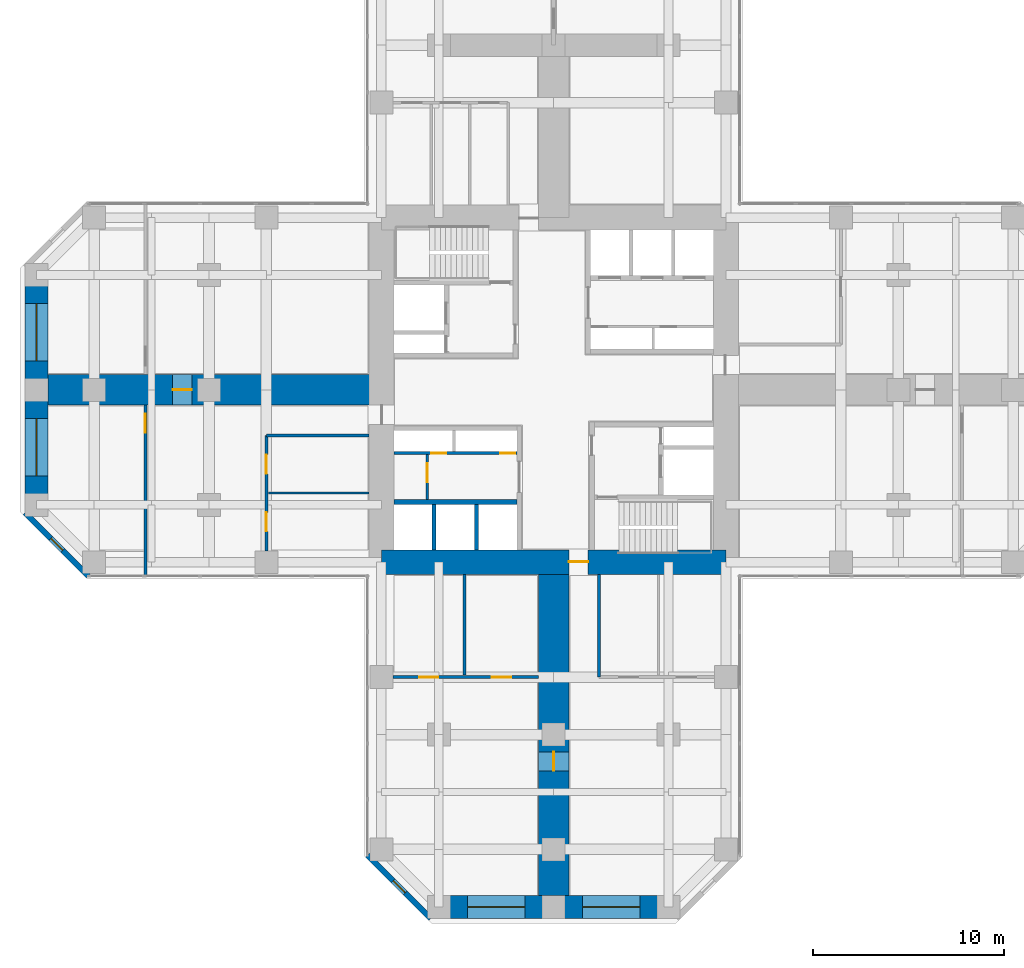
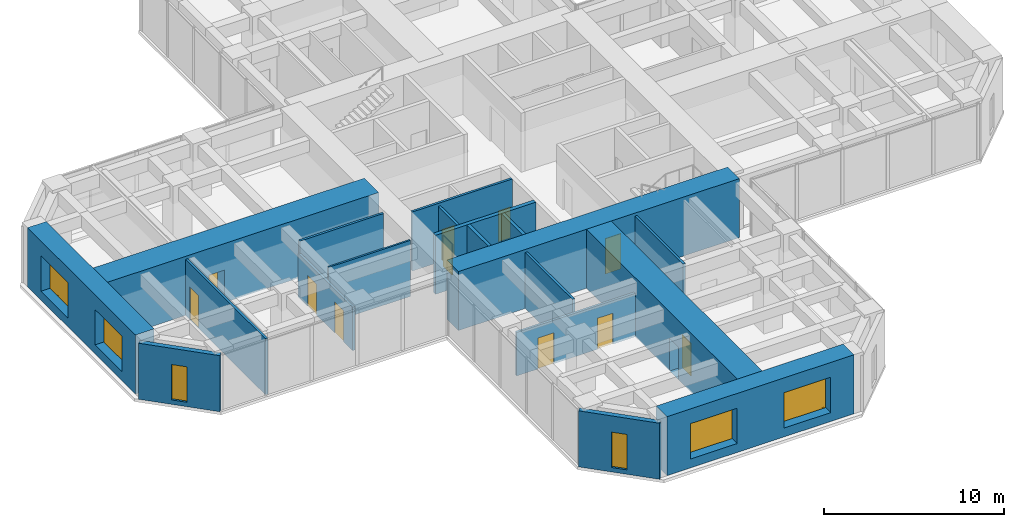
# One storey, part 8 of 12: 19 walls, 11 doors, 6 windows, 17 openings.
"""IFC4 building model written with IfcOpenShell, lengths in metres."""

from ifc_helpers import new_model, si_unit, direction, frame, frame_2d, origin, place, context, subcontext, project, spatial, rectangle, hollow_rectangle, extrude, material, layer, layer_set, constituent, constituent_set, type_object, element, fill, save


model = new_model("IFC4")

# Units and contexts
model_context = context("Model", 3, precision=1e-05, world=origin(), true_north=direction((0.0, 1.0)))
body_context = subcontext(model_context, "Body", "Model", "MODEL_VIEW")
ifc_project = project(units=[si_unit("LENGTHUNIT", "METRE"), si_unit("AREAUNIT", "SQUARE_METRE"), si_unit("VOLUMEUNIT", "CUBIC_METRE"), si_unit("PLANEANGLEUNIT", "RADIAN"), si_unit("MASSUNIT", "GRAM", prefix="KILO")], contexts=[model_context])

# Site, building, storey
site_placement = place(None, origin())
site = spatial("IfcSite", under=ifc_project, at=site_placement, CompositionType="ELEMENT")
building_placement = place(site_placement, origin())
building = spatial("IfcBuilding", under=site, at=building_placement, Name="Torre Cruceta", CompositionType="ELEMENT")
storey_placement = place(building_placement, frame((0.0, 0.0, 39.5)))
storey = spatial("IfcBuildingStorey", under=building, at=storey_placement, Name="L09", CompositionType="ELEMENT", Elevation=39.5)

# Wall
ifc_material_1 = material(Name="Concrete G60 (fck 60 MPa)", Category="concrete")
ifc_layer_1 = layer(ifc_material_1, 0.25)
ifc_layer_set_1 = layer_set([ifc_layer_1], Name="Concrete G60 (fck 60 MPa)")
wall_type_1 = type_object("IfcWallType", Name="CORE INNER WALL 250 G60", PredefinedType="SHEAR", material=ifc_layer_set_1)
wall_1_placement = place(storey_placement, frame((-1.925048828125, -5.85009765625, 0.0), z_axis=(0.0, 0.0, 1.0), x_axis=(-1.0, 0.0, 0.0)))
element("IfcWall", 1, at=wall_1_placement, inside=storey, type_object=wall_type_1, Name="CW4 L09 SW-LV", PredefinedType="SHEAR", context=body_context, shape_type="SweptSolid", body=[
    extrude(rectangle(XDim=6.425048828125, YDim=0.25, at=frame_2d((3.21240234375, 0.0))), origin(), (0.0, 0.0, 1.0), 4.0),
])

# Wall, opening, door
ifc_material_2 = material(Name="Concrete G60 (fck 60 MPa)", Category="concrete")
ifc_layer_2 = layer(ifc_material_2, 1.300048828125)
ifc_layer_set_2 = layer_set([ifc_layer_2], Name="Concrete G60 (fck 60 MPa)")
wall_type_2 = type_object("IfcWallType", Name="CORE WALL 1300 G60", PredefinedType="SHEAR", material=ifc_layer_set_2)
wall_2_placement = place(storey_placement, frame((-9.0, -9.0, 0.0), z_axis=(0.0, 0.0, 1.0), x_axis=(1.0, 0.0, 0.0)))
wall_2 = element("IfcWall", 2, at=wall_2_placement, inside=storey, type_object=wall_type_2, Name="CW1 L09 CW-S", PredefinedType="SHEAR", context=body_context, shape_type="SweptSolid", body=[
    extrude(rectangle(XDim=18.0, YDim=1.300048828125, at=frame_2d((9.0, 0.0))), origin(), (0.0, 0.0, 1.0), 4.0),
])
opening_1_placement = place(wall_2_placement, frame((9.800048828125, 0.0, 0.0)))
opening_1 = element("IfcOpeningElement", 3, at=opening_1_placement, cuts=wall_2, Name="Opening D4", PredefinedType="OPENING", context=body_context, shape_type="SweptSolid", body=[
    extrude(rectangle(XDim=1.0, YDim=2.39990234375, at=frame_2d((0.5, 1.199951171875))), frame((0.0, 0.659912109375, 0.0), z_axis=(0.0, -1.0, 0.0), x_axis=(1.0, 0.0, 0.0)), (0.0, 0.0, 1.0), 1.320068359375),
])
ifc_material_3 = material(Name="Steel DX51D", Category="steel")
ifc_constituent_1 = constituent(ifc_material_3, Name="Leaf and frame")
ifc_material_4 = material(Name="Polyester powder coating", Category="paint")
ifc_constituent_2 = constituent(ifc_material_4, Name="Finish")
ifc_constituent_set_1 = constituent_set(constituents=[ifc_constituent_1, ifc_constituent_2], Name="Steel fire door")
door_type_1 = type_object("IfcDoorType", Name="CORE ARM DOOR 1000X2400", OperationType="SINGLE_SWING_RIGHT", PredefinedType="DOOR", material=ifc_constituent_set_1)
door_1_placement = place(opening_1_placement, frame((1.0, 0.0, 0.0), z_axis=(0.0, 0.0, 1.0), x_axis=(-1.0, 0.0, 0.0)))
door_1 = element("IfcDoor", 4, at=door_1_placement, inside=storey, type_object=door_type_1, Name="D4 L09 CW-S", OperationType="SINGLE_SWING_RIGHT", OverallHeight=2.39990234375, OverallWidth=1.0, PredefinedType="DOOR", context=body_context, shape_type="SweptSolid", body=[
    extrude(rectangle(XDim=1.0, YDim=2.39990234375, at=frame_2d((0.5, 1.199951171875))), frame((0.0, -0.005126953125, 0.0), z_axis=(0.0, -1.0, 0.0), x_axis=(1.0, 0.0, 0.0)), (0.0, 0.0, 1.0), 0.050048828125),
])
fill(opening_1, door_1)

# Wall, opening, window
ifc_material_5 = material(Name="Concrete G30 (fck 30 MPa)", Category="concrete")
ifc_layer_3 = layer(ifc_material_5, 0.300048828125)
ifc_layer_set_3 = layer_set([ifc_layer_3], Name="Concrete G30 (fck 30 MPa)")
wall_type_3 = type_object("IfcWallType", Name="EXPOSED CONCRETE FACADE WALL 300", PredefinedType="SOLIDWALL", material=ifc_layer_set_3)
wall_3_placement = place(storey_placement, frame((-27.60009765625, -6.418212890625, 0.0), z_axis=(0.0, 0.0, 1.0), x_axis=(0.707106781187, -0.707106781187, 0.0)))
wall_3 = element("IfcWall", 5, at=wall_3_placement, inside=storey, type_object=wall_type_3, Name="EW1 facade wall L09 W chamfer 13", PredefinedType="SOLIDWALL", context=body_context, shape_type="SweptSolid", body=[
    extrude(rectangle(XDim=4.66943359375, YDim=0.300048828125, at=frame_2d((2.334716796875, 0.0))), origin(), (0.0, 0.0, 1.0), 3.800048828125),
])
opening_2_placement = place(wall_3_placement, frame((1.884765625, 0.0, 0.300048828125)))
opening_2 = element("IfcOpeningElement", 6, at=opening_2_placement, cuts=wall_3, Name="Opening WN5", PredefinedType="OPENING", context=body_context, shape_type="SweptSolid", body=[
    extrude(rectangle(XDim=0.89990234375, YDim=2.39990234375, at=frame_2d((0.449951171875, 1.199951171875))), frame((0.0, 0.159912109375, 0.0), z_axis=(0.0, -1.0, 0.0), x_axis=(1.0, 0.0, 0.0)), (0.0, 0.0, 1.0), 0.320068359375),
])
ifc_material_6 = material(Name="Aluminium window frame", Category="aluminium")
ifc_constituent_3 = constituent(ifc_material_6, Name="Frame")
ifc_material_7 = material(Name="Laminated insulating glass unit, low-iron clear", Category="glass")
ifc_constituent_4 = constituent(ifc_material_7, Name="Glazing")
ifc_constituent_set_2 = constituent_set(constituents=[ifc_constituent_3, ifc_constituent_4], Name="Aluminium window")
window_type_1 = type_object("IfcWindowType", Name="CHAMFER SLOT WINDOW 900X2400", PartitioningType="SINGLE_PANEL", PredefinedType="WINDOW", material=ifc_constituent_set_2)
window_1_placement = place(opening_2_placement, origin())
window_1 = element("IfcWindow", 7, at=window_1_placement, inside=storey, type_object=window_type_1, Name="WN5 L09 W 1", OverallHeight=2.39990234375, OverallWidth=0.89990234375, PartitioningType="SINGLE_PANEL", PredefinedType="WINDOW", context=body_context, shape_type="SweptSolid", body=[
    extrude(hollow_rectangle(XDim=0.89990234375, YDim=2.39990234375, WallThickness=0.06005859375, at=frame_2d((0.449951171875, 1.199951171875))), frame((0.0, 0.030029296875, 0.0), z_axis=(0.0, -1.0, 0.0), x_axis=(1.0, 0.0, 0.0)), (0.0, 0.0, 1.0), 0.06005859375),
    extrude(rectangle(XDim=0.77880859375, YDim=2.27880859375, at=frame_2d((0.449951171875, 1.199951171875))), frame((0.0, 0.030029296875, 0.0), z_axis=(0.0, -1.0, 0.0), x_axis=(1.0, 0.0, 0.0)), (0.0, 0.0, 1.0), 0.06005859375),
])
fill(opening_2, window_1)

wall_4_placement = place(storey_placement, frame((-9.719970703125, -24.29833984375, 0.0), z_axis=(0.0, 0.0, 1.0), x_axis=(0.707106781187, -0.707106781187, 0.0)))
wall_4 = element("IfcWall", 8, at=wall_4_placement, inside=storey, type_object=wall_type_3, Name="EW1 facade wall L09 S chamfer 16", PredefinedType="SOLIDWALL", context=body_context, shape_type="SweptSolid", body=[
    extrude(rectangle(XDim=4.66943359375, YDim=0.300048828125, at=frame_2d((2.334716796875, 0.0))), origin(), (0.0, 0.0, 1.0), 3.800048828125),
])
opening_3_placement = place(wall_4_placement, frame((1.884765625, 0.0, 0.300048828125)))
opening_3 = element("IfcOpeningElement", 9, at=opening_3_placement, cuts=wall_4, Name="Opening WN5", PredefinedType="OPENING", context=body_context, shape_type="SweptSolid", body=[
    extrude(rectangle(XDim=0.89990234375, YDim=2.39990234375, at=frame_2d((0.449951171875, 1.199951171875))), frame((0.0, 0.159912109375, 0.0), z_axis=(0.0, -1.0, 0.0), x_axis=(1.0, 0.0, 0.0)), (0.0, 0.0, 1.0), 0.320068359375),
])
window_2_placement = place(opening_3_placement, origin())
window_2 = element("IfcWindow", 10, at=window_2_placement, inside=storey, type_object=window_type_1, Name="WN5 L09 S 1", OverallHeight=2.39990234375, OverallWidth=0.89990234375, PartitioningType="SINGLE_PANEL", PredefinedType="WINDOW", context=body_context, shape_type="SweptSolid", body=[
    extrude(hollow_rectangle(XDim=0.89990234375, YDim=2.39990234375, WallThickness=0.06005859375, at=frame_2d((0.449951171875, 1.199951171875))), frame((0.0, 0.030029296875, 0.0), z_axis=(0.0, -1.0, 0.0), x_axis=(1.0, 0.0, 0.0)), (0.0, 0.0, 1.0), 0.06005859375),
    extrude(rectangle(XDim=0.77880859375, YDim=2.27880859375, at=frame_2d((0.449951171875, 1.199951171875))), frame((0.0, 0.030029296875, 0.0), z_axis=(0.0, -1.0, 0.0), x_axis=(1.0, 0.0, 0.0)), (0.0, 0.0, 1.0), 0.06005859375),
])
fill(opening_3, window_2)

# Walls
ifc_material_8 = material(Name="Concrete G35 (fck 35 MPa)", Category="concrete")
ifc_layer_4 = layer(ifc_material_8, 0.199951171875)
ifc_layer_set_4 = layer_set([ifc_layer_4], Name="Concrete G35 (fck 35 MPa)")
wall_type_4 = type_object("IfcWallType", Name="LIFT SHAFT WALL 200", PredefinedType="PARTITIONING", material=ifc_layer_set_4)
for number, where, z_axis, x_axis, name in (
    (11, (-4.033447265625, -5.97509765625, 0.0), (0.0, 0.0, 1.0), (0.0, -1.0, 0.0), "SW1 L09 SW-LS1"),
    (12, (-6.24169921875, -5.97509765625, 0.0), (0.0, 0.0, 1.0), (0.0, -1.0, 0.0), "SW1 L09 SW-LS2"),
):
    element("IfcWall", number, at=place(storey_placement, frame(where, z_axis=z_axis, x_axis=x_axis)), inside=storey, type_object=wall_type_4, Name=name, PredefinedType="PARTITIONING", context=body_context, shape_type="SweptSolid", body=[
        extrude(rectangle(XDim=2.375, YDim=0.199951171875, at=frame_2d((1.1875, 0.0))), origin(), (0.0, 0.0, 1.0), 4.0),
    ])

# Wall, openings, windows
ifc_material_9 = material(Name="Concrete G60 (fck 60 MPa)", Category="concrete")
ifc_layer_5 = layer(ifc_material_9, 1.199951171875)
ifc_layer_set_5 = layer_set([ifc_layer_5], Name="Concrete G60 (fck 60 MPa)")
wall_type_5 = type_object("IfcWallType", Name="NOSE WALL 1200 G60", PredefinedType="SHEAR", material=ifc_layer_set_5)
wall_5_placement = place(storey_placement, frame((-6.0, -27.0, 0.0), z_axis=(0.0, 0.0, 1.0), x_axis=(1.0, 0.0, 0.0)))
wall_5 = element("IfcWall", 13, at=wall_5_placement, inside=storey, type_object=wall_type_5, Name="NW1 nose wall L09 S", PredefinedType="SHEAR", context=body_context, shape_type="SweptSolid", body=[
    extrude(rectangle(XDim=12.0, YDim=1.199951171875, at=frame_2d((6.0, 0.0))), origin(), (0.0, 0.0, 1.0), 4.0),
])
opening_4_placement = place(wall_5_placement, frame((1.5, 0.0, 0.60009765625)))
opening_4 = element("IfcOpeningElement", 14, at=opening_4_placement, cuts=wall_5, Name="Opening WN6", PredefinedType="OPENING", context=body_context, shape_type="SweptSolid", body=[
    extrude(rectangle(XDim=3.0, YDim=2.39990234375, at=frame_2d((1.5, 1.199951171875))), frame((0.0, 0.60986328125, 0.0), z_axis=(0.0, -1.0, 0.0), x_axis=(1.0, 0.0, 0.0)), (0.0, 0.0, 1.0), 1.219970703125),
])
opening_5_placement = place(wall_5_placement, frame((7.5, 0.0, 0.60009765625)))
opening_5 = element("IfcOpeningElement", 15, at=opening_5_placement, cuts=wall_5, Name="Opening WN6", PredefinedType="OPENING", context=body_context, shape_type="SweptSolid", body=[
    extrude(rectangle(XDim=3.0, YDim=2.39990234375, at=frame_2d((1.5, 1.199951171875))), frame((0.0, 0.60986328125, 0.0), z_axis=(0.0, -1.0, 0.0), x_axis=(1.0, 0.0, 0.0)), (0.0, 0.0, 1.0), 1.219970703125),
])
ifc_material_10 = material(Name="Aluminium window frame", Category="aluminium")
ifc_constituent_5 = constituent(ifc_material_10, Name="Frame")
ifc_material_11 = material(Name="Laminated insulating glass unit, low-iron clear", Category="glass")
ifc_constituent_6 = constituent(ifc_material_11, Name="Glazing")
ifc_constituent_set_3 = constituent_set(constituents=[ifc_constituent_5, ifc_constituent_6], Name="Aluminium window")
window_type_2 = type_object("IfcWindowType", Name="NOSE WALL WINDOW 3000X2400", PartitioningType="SINGLE_PANEL", PredefinedType="WINDOW", material=ifc_constituent_set_3)
window_3_placement = place(opening_4_placement, origin())
window_3 = element("IfcWindow", 16, at=window_3_placement, inside=storey, type_object=window_type_2, Name="WN6 L09 S 1", OverallHeight=2.39990234375, OverallWidth=3.0, PartitioningType="SINGLE_PANEL", PredefinedType="WINDOW", context=body_context, shape_type="SweptSolid", body=[
    extrude(hollow_rectangle(XDim=3.0, YDim=2.39990234375, WallThickness=0.06005859375, at=frame_2d((1.5, 1.199951171875))), frame((0.0, 0.030029296875, 0.0), z_axis=(0.0, -1.0, 0.0), x_axis=(1.0, 0.0, 0.0)), (0.0, 0.0, 1.0), 0.06005859375),
    extrude(rectangle(XDim=2.87890625, YDim=2.27880859375, at=frame_2d((1.5, 1.199951171875))), frame((0.0, 0.030029296875, 0.0), z_axis=(0.0, -1.0, 0.0), x_axis=(1.0, 0.0, 0.0)), (0.0, 0.0, 1.0), 0.06005859375),
])
fill(opening_4, window_3)
window_4_placement = place(opening_5_placement, origin())
window_4 = element("IfcWindow", 17, at=window_4_placement, inside=storey, type_object=window_type_2, Name="WN6 L09 S 2", OverallHeight=2.39990234375, OverallWidth=3.0, PartitioningType="SINGLE_PANEL", PredefinedType="WINDOW", context=body_context, shape_type="SweptSolid", body=[
    extrude(hollow_rectangle(XDim=3.0, YDim=2.39990234375, WallThickness=0.06005859375, at=frame_2d((1.5, 1.199951171875))), frame((0.0, 0.030029296875, 0.0), z_axis=(0.0, -1.0, 0.0), x_axis=(1.0, 0.0, 0.0)), (0.0, 0.0, 1.0), 0.06005859375),
    extrude(rectangle(XDim=2.87890625, YDim=2.27880859375, at=frame_2d((1.5, 1.199951171875))), frame((0.0, 0.030029296875, 0.0), z_axis=(0.0, -1.0, 0.0), x_axis=(1.0, 0.0, 0.0)), (0.0, 0.0, 1.0), 0.06005859375),
])
fill(opening_5, window_4)

wall_6_placement = place(storey_placement, frame((-27.0, 6.0, 0.0), z_axis=(0.0, 0.0, 1.0), x_axis=(0.0, -1.0, 0.0)))
wall_6 = element("IfcWall", 18, at=wall_6_placement, inside=storey, type_object=wall_type_5, Name="NW1 nose wall L09 W", PredefinedType="SHEAR", context=body_context, shape_type="SweptSolid", body=[
    extrude(rectangle(XDim=12.0, YDim=1.199951171875, at=frame_2d((6.0, 0.0))), origin(), (0.0, 0.0, 1.0), 4.0),
])
opening_6_placement = place(wall_6_placement, frame((1.5, 0.0, 0.60009765625)))
opening_6 = element("IfcOpeningElement", 19, at=opening_6_placement, cuts=wall_6, Name="Opening WN6", PredefinedType="OPENING", context=body_context, shape_type="SweptSolid", body=[
    extrude(rectangle(XDim=3.0, YDim=2.39990234375, at=frame_2d((1.5, 1.199951171875))), frame((0.0, 0.60986328125, 0.0), z_axis=(0.0, -1.0, 0.0), x_axis=(1.0, 0.0, 0.0)), (0.0, 0.0, 1.0), 1.219970703125),
])
opening_7_placement = place(wall_6_placement, frame((7.5, 0.0, 0.60009765625)))
opening_7 = element("IfcOpeningElement", 20, at=opening_7_placement, cuts=wall_6, Name="Opening WN6", PredefinedType="OPENING", context=body_context, shape_type="SweptSolid", body=[
    extrude(rectangle(XDim=3.0, YDim=2.39990234375, at=frame_2d((1.5, 1.199951171875))), frame((0.0, 0.60986328125, 0.0), z_axis=(0.0, -1.0, 0.0), x_axis=(1.0, 0.0, 0.0)), (0.0, 0.0, 1.0), 1.219970703125),
])
window_5_placement = place(opening_6_placement, origin())
window_5 = element("IfcWindow", 21, at=window_5_placement, inside=storey, type_object=window_type_2, Name="WN6 L09 W 1", OverallHeight=2.39990234375, OverallWidth=3.0, PartitioningType="SINGLE_PANEL", PredefinedType="WINDOW", context=body_context, shape_type="SweptSolid", body=[
    extrude(hollow_rectangle(XDim=3.0, YDim=2.39990234375, WallThickness=0.06005859375, at=frame_2d((1.5, 1.199951171875))), frame((0.0, 0.030029296875, 0.0), z_axis=(0.0, -1.0, 0.0), x_axis=(1.0, 0.0, 0.0)), (0.0, 0.0, 1.0), 0.06005859375),
    extrude(rectangle(XDim=2.87890625, YDim=2.27880859375, at=frame_2d((1.5, 1.199951171875))), frame((0.0, 0.030029296875, 0.0), z_axis=(0.0, -1.0, 0.0), x_axis=(1.0, 0.0, 0.0)), (0.0, 0.0, 1.0), 0.06005859375),
])
fill(opening_6, window_5)
window_6_placement = place(opening_7_placement, origin())
window_6 = element("IfcWindow", 22, at=window_6_placement, inside=storey, type_object=window_type_2, Name="WN6 L09 W 2", OverallHeight=2.39990234375, OverallWidth=3.0, PartitioningType="SINGLE_PANEL", PredefinedType="WINDOW", context=body_context, shape_type="SweptSolid", body=[
    extrude(hollow_rectangle(XDim=3.0, YDim=2.39990234375, WallThickness=0.06005859375, at=frame_2d((1.5, 1.199951171875))), frame((0.0, 0.030029296875, 0.0), z_axis=(0.0, -1.0, 0.0), x_axis=(1.0, 0.0, 0.0)), (0.0, 0.0, 1.0), 0.06005859375),
    extrude(rectangle(XDim=2.87890625, YDim=2.27880859375, at=frame_2d((1.5, 1.199951171875))), frame((0.0, 0.030029296875, 0.0), z_axis=(0.0, -1.0, 0.0), x_axis=(1.0, 0.0, 0.0)), (0.0, 0.0, 1.0), 0.06005859375),
])
fill(opening_7, window_6)

# Wall, opening, door
ifc_material_12 = material(Name="Plasterboard on steel studs", Category="steel")
ifc_layer_6 = layer(ifc_material_12, 0.14990234375)
ifc_layer_set_6 = layer_set([ifc_layer_6], Name="Plasterboard on steel studs")
wall_type_6 = type_object("IfcWallType", Name="PARTITION 150", PredefinedType="PARTITIONING", material=ifc_layer_set_6)
wall_7_placement = place(storey_placement, frame((-6.60009765625, -3.375, 0.0), z_axis=(0.0, 0.0, 1.0), x_axis=(0.0, -1.0, 0.0)))
wall_7 = element("IfcWall", 23, at=wall_7_placement, inside=storey, type_object=wall_type_6, Name="PT1 L09-CORE-SW-X", PredefinedType="PARTITIONING", context=body_context, shape_type="SweptSolid", body=[
    extrude(rectangle(XDim=2.35009765625, YDim=0.14990234375, at=frame_2d((1.175048828125, 0.0))), origin(), (0.0, 0.0, 1.0), 3.800048828125),
])
opening_8_placement = place(wall_7_placement, frame((0.449951171875, 0.0, 0.0)))
opening_8 = element("IfcOpeningElement", 24, at=opening_8_placement, cuts=wall_7, Name="Opening D3", PredefinedType="OPENING", context=body_context, shape_type="SweptSolid", body=[
    extrude(rectangle(XDim=1.0, YDim=2.10009765625, at=frame_2d((0.5, 1.050048828125))), frame((0.0, 0.0849609375, 0.0), z_axis=(0.0, -1.0, 0.0), x_axis=(1.0, 0.0, 0.0)), (0.0, 0.0, 1.0), 0.169921875),
])
ifc_material_13 = material(Name="Steel DX51D", Category="steel")
ifc_constituent_7 = constituent(ifc_material_13, Name="Leaf and frame")
ifc_material_14 = material(Name="Polyester powder coating", Category="paint")
ifc_constituent_8 = constituent(ifc_material_14, Name="Finish")
ifc_constituent_set_4 = constituent_set(constituents=[ifc_constituent_7, ifc_constituent_8], Name="Steel fire door")
door_type_2 = type_object("IfcDoorType", Name="FIRE DOOR 1000X2100", OperationType="SINGLE_SWING_LEFT", PredefinedType="DOOR", material=ifc_constituent_set_4)
door_2_placement = place(opening_8_placement, frame((1.0, 0.0, 0.0), z_axis=(0.0, 0.0, 1.0), x_axis=(-1.0, 0.0, 0.0)))
door_2 = element("IfcDoor", 25, at=door_2_placement, inside=storey, type_object=door_type_2, Name="D3 L09-CORE-SW-X-D1", OperationType="SINGLE_SWING_RIGHT", OverallHeight=2.10009765625, OverallWidth=1.0, PredefinedType="DOOR", context=body_context, shape_type="SweptSolid", body=[
    extrude(rectangle(XDim=1.0, YDim=2.10009765625, at=frame_2d((0.5, 1.050048828125))), frame((0.0, 0.025146484375, 0.0), z_axis=(0.0, -1.0, 0.0), x_axis=(1.0, 0.0, 0.0)), (0.0, 0.0, 1.0), 0.050048828125),
])
fill(opening_8, door_2)

# Wall
wall_8_placement = place(storey_placement, frame((2.375, -9.64990234375, 0.0), z_axis=(0.0, 0.0, 1.0), x_axis=(0.0, -1.0, 0.0)))
element("IfcWall", 26, at=wall_8_placement, inside=storey, type_object=wall_type_6, Name="PT1 L09-S-BSL", PredefinedType="PARTITIONING", context=body_context, shape_type="SweptSolid", body=[
    extrude(rectangle(XDim=5.35009765625, YDim=0.14990234375, at=frame_2d((2.675048828125, 0.0))), origin(), (0.0, 0.0, 1.0), 3.800048828125),
])

# Wall, openings, doors
wall_9_placement = place(storey_placement, frame((-8.39990234375, -15.0, 0.0), z_axis=(0.0, 0.0, 1.0), x_axis=(1.0, 0.0, 0.0)))
wall_9 = element("IfcWall", 27, at=wall_9_placement, inside=storey, type_object=wall_type_6, Name="PT1 L09-S-BFR", PredefinedType="PARTITIONING", context=body_context, shape_type="SweptSolid", body=[
    extrude(rectangle(XDim=7.599853515625, YDim=0.14990234375, at=frame_2d((3.7998046875, 0.0))), origin(), (0.0, 0.0, 1.0), 2.949951171875),
])
opening_9_placement = place(wall_9_placement, frame((1.375, 0.0, 0.0)))
opening_9 = element("IfcOpeningElement", 28, at=opening_9_placement, cuts=wall_9, Name="Opening D3", PredefinedType="OPENING", context=body_context, shape_type="SweptSolid", body=[
    extrude(rectangle(XDim=1.0, YDim=2.10009765625, at=frame_2d((0.5, 1.050048828125))), frame((0.0, 0.0849609375, 0.0), z_axis=(0.0, -1.0, 0.0), x_axis=(1.0, 0.0, 0.0)), (0.0, 0.0, 1.0), 0.169921875),
])
opening_10_placement = place(wall_9_placement, frame((5.175048828125, 0.0, 0.0)))
opening_10 = element("IfcOpeningElement", 29, at=opening_10_placement, cuts=wall_9, Name="Opening D3", PredefinedType="OPENING", context=body_context, shape_type="SweptSolid", body=[
    extrude(rectangle(XDim=1.0, YDim=2.10009765625, at=frame_2d((0.5, 1.050048828125))), frame((0.0, 0.0849609375, 0.0), z_axis=(0.0, -1.0, 0.0), x_axis=(1.0, 0.0, 0.0)), (0.0, 0.0, 1.0), 0.169921875),
])
door_3_placement = place(opening_9_placement, origin())
door_3 = element("IfcDoor", 30, at=door_3_placement, inside=storey, type_object=door_type_2, Name="D3 L09-S-BFR-D1", OperationType="SINGLE_SWING_RIGHT", OverallHeight=2.10009765625, OverallWidth=1.0, PredefinedType="DOOR", context=body_context, shape_type="SweptSolid", body=[
    extrude(rectangle(XDim=1.0, YDim=2.10009765625, at=frame_2d((0.5, 1.050048828125))), frame((0.0, 0.02490234375, 0.0), z_axis=(0.0, -1.0, 0.0), x_axis=(1.0, 0.0, 0.0)), (0.0, 0.0, 1.0), 0.050048828125),
])
fill(opening_9, door_3)
door_4_placement = place(opening_10_placement, origin())
door_4 = element("IfcDoor", 31, at=door_4_placement, inside=storey, type_object=door_type_2, Name="D3 L09-S-BFR-D2", OperationType="SINGLE_SWING_LEFT", OverallHeight=2.10009765625, OverallWidth=1.0, PredefinedType="DOOR", context=body_context, shape_type="SweptSolid", body=[
    extrude(rectangle(XDim=1.0, YDim=2.10009765625, at=frame_2d((0.5, 1.050048828125))), frame((0.0, 0.02490234375, 0.0), z_axis=(0.0, -1.0, 0.0), x_axis=(1.0, 0.0, 0.0)), (0.0, 0.0, 1.0), 0.050048828125),
])
fill(opening_10, door_4)

# Wall
wall_10_placement = place(storey_placement, frame((-4.64990234375, -9.64990234375, 0.0), z_axis=(0.0, 0.0, 1.0), x_axis=(0.0, -1.0, 0.0)))
element("IfcWall", 32, at=wall_10_placement, inside=storey, type_object=wall_type_6, Name="PT1 L09-S-BDR1", PredefinedType="PARTITIONING", context=body_context, shape_type="SweptSolid", body=[
    extrude(rectangle(XDim=5.25, YDim=0.14990234375, at=frame_2d((2.625, 0.0))), origin(), (0.0, 0.0, 1.0), 3.800048828125),
])

# Wall, openings, doors
wall_11_placement = place(storey_placement, frame((-15.0, -2.375, 0.0), z_axis=(0.0, 0.0, 1.0), x_axis=(0.0, -1.0, 0.0)))
wall_11 = element("IfcWall", 33, at=wall_11_placement, inside=storey, type_object=wall_type_6, Name="PT1 L09-W-BFL", PredefinedType="PARTITIONING", context=body_context, shape_type="SweptSolid", body=[
    extrude(rectangle(XDim=6.02490234375, YDim=0.14990234375, at=frame_2d((3.012451171875, 0.0))), origin(), (0.0, 0.0, 1.0), 2.949951171875),
])
opening_11_placement = place(wall_11_placement, frame((1.00634765625, 0.0, 0.0)))
opening_11 = element("IfcOpeningElement", 34, at=opening_11_placement, cuts=wall_11, Name="Opening D3", PredefinedType="OPENING", context=body_context, shape_type="SweptSolid", body=[
    extrude(rectangle(XDim=1.0, YDim=2.10009765625, at=frame_2d((0.5, 1.050048828125))), frame((0.0, 0.0849609375, 0.0), z_axis=(0.0, -1.0, 0.0), x_axis=(1.0, 0.0, 0.0)), (0.0, 0.0, 1.0), 0.169921875),
])
opening_12_placement = place(wall_11_placement, frame((4.018798828125, 0.0, 0.0)))
opening_12 = element("IfcOpeningElement", 35, at=opening_12_placement, cuts=wall_11, Name="Opening D3", PredefinedType="OPENING", context=body_context, shape_type="SweptSolid", body=[
    extrude(rectangle(XDim=1.0, YDim=2.10009765625, at=frame_2d((0.5, 1.050048828125))), frame((0.0, 0.0849609375, 0.0), z_axis=(0.0, -1.0, 0.0), x_axis=(1.0, 0.0, 0.0)), (0.0, 0.0, 1.0), 0.169921875),
])
door_5_placement = place(opening_11_placement, origin())
door_5 = element("IfcDoor", 36, at=door_5_placement, inside=storey, type_object=door_type_2, Name="D3 L09-W-BFL-D1", OperationType="SINGLE_SWING_LEFT", OverallHeight=2.10009765625, OverallWidth=1.0, PredefinedType="DOOR", context=body_context, shape_type="SweptSolid", body=[
    extrude(rectangle(XDim=1.0, YDim=2.10009765625, at=frame_2d((0.5, 1.050048828125))), frame((0.0, 0.02490234375, 0.0), z_axis=(0.0, -1.0, 0.0), x_axis=(1.0, 0.0, 0.0)), (0.0, 0.0, 1.0), 0.050048828125),
])
fill(opening_11, door_5)
door_6_placement = place(opening_12_placement, origin())
door_6 = element("IfcDoor", 37, at=door_6_placement, inside=storey, type_object=door_type_2, Name="D3 L09-W-BFL-D2", OperationType="SINGLE_SWING_LEFT", OverallHeight=2.10009765625, OverallWidth=1.0, PredefinedType="DOOR", context=body_context, shape_type="SweptSolid", body=[
    extrude(rectangle(XDim=1.0, YDim=2.10009765625, at=frame_2d((0.5, 1.050048828125))), frame((0.0, 0.02490234375, 0.0), z_axis=(0.0, -1.0, 0.0), x_axis=(1.0, 0.0, 0.0)), (0.0, 0.0, 1.0), 0.050048828125),
])
fill(opening_12, door_6)

# Wall
wall_12_placement = place(storey_placement, frame((-9.64990234375, -2.375, 0.0), z_axis=(0.0, 0.0, 1.0), x_axis=(-1.0, 0.0, 0.0)))
element("IfcWall", 38, at=wall_12_placement, inside=storey, type_object=wall_type_6, Name="PT1 L09-W-BSL", PredefinedType="PARTITIONING", context=body_context, shape_type="SweptSolid", body=[
    extrude(rectangle(XDim=5.35009765625, YDim=0.14990234375, at=frame_2d((2.675048828125, 0.0))), origin(), (0.0, 0.0, 1.0), 3.800048828125),
])

# Wall, opening, door
wall_13_placement = place(storey_placement, frame((-21.320068359375, -0.800048828125, 0.0), z_axis=(0.0, 0.0, 1.0), x_axis=(0.0, -1.0, 0.0)))
wall_13 = element("IfcWall", 39, at=wall_13_placement, inside=storey, type_object=wall_type_6, Name="PT1 L09-W-TWL", PredefinedType="PARTITIONING", context=body_context, shape_type="SweptSolid", body=[
    extrude(rectangle(XDim=8.8798828125, YDim=0.14990234375, at=frame_2d((4.43994140625, 0.0))), origin(), (0.0, 0.0, 1.0), 3.800048828125),
])
opening_13_placement = place(wall_13_placement, frame((0.449951171875, 0.0, 0.0)))
opening_13 = element("IfcOpeningElement", 40, at=opening_13_placement, cuts=wall_13, Name="Opening D14", PredefinedType="OPENING", context=body_context, shape_type="SweptSolid", body=[
    extrude(rectangle(XDim=1.0, YDim=2.199951171875, at=frame_2d((0.5, 1.10009765625))), frame((0.0, 0.0849609375, 0.0), z_axis=(0.0, -1.0, 0.0), x_axis=(1.0, 0.0, 0.0)), (0.0, 0.0, 1.0), 0.169921875),
])
ifc_material_15 = material(Name="Steel DX51D", Category="steel")
ifc_constituent_9 = constituent(ifc_material_15, Name="Leaf and frame")
ifc_material_16 = material(Name="Polyester powder coating", Category="paint")
ifc_constituent_10 = constituent(ifc_material_16, Name="Finish")
ifc_material_17 = material(Name="Fire-resisting glass", Category="glass")
ifc_constituent_11 = constituent(ifc_material_17, Name="Vision panel")
ifc_constituent_set_5 = constituent_set(constituents=[ifc_constituent_9, ifc_constituent_10, ifc_constituent_11], Name="Steel fire door with vision panel")
door_type_3 = type_object("IfcDoorType", Name="FIRE DOOR VISION PANEL 1000X2200", OperationType="SINGLE_SWING_RIGHT", PredefinedType="DOOR", material=ifc_constituent_set_5)
door_7_placement = place(opening_13_placement, frame((1.0, 0.0, 0.0), z_axis=(0.0, 0.0, 1.0), x_axis=(-1.0, 0.0, 0.0)))
door_7 = element("IfcDoor", 41, at=door_7_placement, inside=storey, type_object=door_type_3, Name="D14 L09-W-TWL-D1", OperationType="SINGLE_SWING_RIGHT", OverallHeight=2.199951171875, OverallWidth=1.0, PredefinedType="DOOR", context=body_context, shape_type="SweptSolid", body=[
    extrude(rectangle(XDim=1.0, YDim=2.199951171875, at=frame_2d((0.5, 1.10009765625))), frame((0.0, 0.025146484375, 0.0), z_axis=(0.0, -1.0, 0.0), x_axis=(1.0, 0.0, 0.0)), (0.0, 0.0, 1.0), 0.050048828125),
])
fill(opening_13, door_7)

# Wall, openings, doors
ifc_material_18 = material(Name="Concrete block masonry", Category="masonry")
ifc_layer_7 = layer(ifc_material_18, 0.14990234375)
ifc_layer_set_7 = layer_set([ifc_layer_7], Name="Concrete block masonry")
wall_type_7 = type_object("IfcWallType", Name="RISER WALL 150", PredefinedType="PARTITIONING", material=ifc_layer_set_7)
wall_14_placement = place(storey_placement, frame((-1.925048828125, -3.300048828125, 0.0), z_axis=(0.0, 0.0, 1.0), x_axis=(-1.0, 0.0, 0.0)))
wall_14 = element("IfcWall", 42, at=wall_14_placement, inside=storey, type_object=wall_type_7, Name="SW7 L09 SW-RV", PredefinedType="PARTITIONING", context=body_context, shape_type="SweptSolid", body=[
    extrude(rectangle(XDim=6.425048828125, YDim=0.14990234375, at=frame_2d((3.21240234375, 0.0))), origin(), (0.0, 0.0, 1.0), 4.0),
])
opening_14_placement = place(wall_14_placement, frame((0.074951171875, 0.0, 0.0)))
opening_14 = element("IfcOpeningElement", 43, at=opening_14_placement, cuts=wall_14, Name="Opening D5", PredefinedType="OPENING", context=body_context, shape_type="SweptSolid", body=[
    extrude(rectangle(XDim=0.800048828125, YDim=2.10009765625, at=frame_2d((0.39990234375, 1.050048828125))), frame((0.0, 0.0849609375, 0.0), z_axis=(0.0, -1.0, 0.0), x_axis=(1.0, 0.0, 0.0)), (0.0, 0.0, 1.0), 0.169921875),
])
opening_15_placement = place(wall_14_placement, frame((3.675048828125, 0.0, 0.0)))
opening_15 = element("IfcOpeningElement", 44, at=opening_15_placement, cuts=wall_14, Name="Opening D5", PredefinedType="OPENING", context=body_context, shape_type="SweptSolid", body=[
    extrude(rectangle(XDim=0.800048828125, YDim=2.10009765625, at=frame_2d((0.39990234375, 1.050048828125))), frame((0.0, 0.0849609375, 0.0), z_axis=(0.0, -1.0, 0.0), x_axis=(1.0, 0.0, 0.0)), (0.0, 0.0, 1.0), 0.169921875),
])
ifc_material_19 = material(Name="Steel DX51D", Category="steel")
ifc_constituent_12 = constituent(ifc_material_19, Name="Leaf and frame")
ifc_material_20 = material(Name="Polyester powder coating", Category="paint")
ifc_constituent_13 = constituent(ifc_material_20, Name="Finish")
ifc_constituent_set_6 = constituent_set(constituents=[ifc_constituent_12, ifc_constituent_13], Name="Steel fire door")
door_type_4 = type_object("IfcDoorType", Name="RISER ACCESS DOOR 800X2100", OperationType="SINGLE_SWING_LEFT", PredefinedType="DOOR", material=ifc_constituent_set_6)
door_8_placement = place(opening_14_placement, frame((0.800048828125, 0.0, 0.0), z_axis=(0.0, 0.0, 1.0), x_axis=(-1.0, 0.0, 0.0)))
door_8 = element("IfcDoor", 45, at=door_8_placement, inside=storey, type_object=door_type_4, Name="D5 L09 SW-RISER1", OperationType="SINGLE_SWING_RIGHT", OverallHeight=2.10009765625, OverallWidth=0.800048828125, PredefinedType="DOOR", context=body_context, shape_type="SweptSolid", body=[
    extrude(rectangle(XDim=0.800048828125, YDim=2.10009765625, at=frame_2d((0.400146484375, 1.050048828125))), frame((0.0, 0.025146484375, 0.0), z_axis=(0.0, -1.0, 0.0), x_axis=(1.0, 0.0, 0.0)), (0.0, 0.0, 1.0), 0.050048828125),
])
fill(opening_14, door_8)
door_9_placement = place(opening_15_placement, frame((0.800048828125, 0.0, 0.0), z_axis=(0.0, 0.0, 1.0), x_axis=(-1.0, 0.0, 0.0)))
door_9 = element("IfcDoor", 46, at=door_9_placement, inside=storey, type_object=door_type_4, Name="D5 L09 SW-RISER2", OperationType="SINGLE_SWING_RIGHT", OverallHeight=2.10009765625, OverallWidth=0.800048828125, PredefinedType="DOOR", context=body_context, shape_type="SweptSolid", body=[
    extrude(rectangle(XDim=0.800048828125, YDim=2.10009765625, at=frame_2d((0.400146484375, 1.050048828125))), frame((0.0, 0.025146484375, 0.0), z_axis=(0.0, -1.0, 0.0), x_axis=(1.0, 0.0, 0.0)), (0.0, 0.0, 1.0), 0.050048828125),
])
fill(opening_15, door_9)

# Wall, opening, door
ifc_material_21 = material(Name="Concrete G60 (fck 60 MPa)", Category="concrete")
ifc_layer_8 = layer(ifc_material_21, 1.60009765625)
ifc_layer_set_8 = layer_set([ifc_layer_8], Name="Concrete G60 (fck 60 MPa)")
wall_type_8 = type_object("IfcWallType", Name="SPINE WALL 1600 G60", PredefinedType="SHEAR", material=ifc_layer_set_8)
wall_15_placement = place(storey_placement, frame((0.0, -9.0, 0.0), z_axis=(0.0, 0.0, 1.0), x_axis=(0.0, -1.0, 0.0)))
wall_15 = element("IfcWall", 47, at=wall_15_placement, inside=storey, type_object=wall_type_8, Name="SW2 spine wall L09 S", PredefinedType="SHEAR", context=body_context, shape_type="SweptSolid", body=[
    extrude(rectangle(XDim=18.0, YDim=1.60009765625, at=frame_2d((9.0, 0.0))), origin(), (0.0, 0.0, 1.0), 4.0),
])
opening_16_placement = place(wall_15_placement, frame((9.89990234375, 0.0, 0.0)))
opening_16 = element("IfcOpeningElement", 48, at=opening_16_placement, cuts=wall_15, Name="Opening D14", PredefinedType="OPENING", context=body_context, shape_type="SweptSolid", body=[
    extrude(rectangle(XDim=1.0, YDim=2.199951171875, at=frame_2d((0.5, 1.10009765625))), frame((0.0, 0.81005859375, 0.0), z_axis=(0.0, -1.0, 0.0), x_axis=(1.0, 0.0, 0.0)), (0.0, 0.0, 1.0), 1.6201171875),
])
door_10_placement = place(opening_16_placement, frame((1.0, 0.0, 0.0), z_axis=(0.0, 0.0, 1.0), x_axis=(-1.0, 0.0, 0.0)))
door_10 = element("IfcDoor", 49, at=door_10_placement, inside=storey, type_object=door_type_3, Name="D14 L09-S-SP1", OperationType="SINGLE_SWING_RIGHT", OverallHeight=2.199951171875, OverallWidth=1.0, PredefinedType="DOOR", context=body_context, shape_type="SweptSolid", body=[
    extrude(rectangle(XDim=1.0, YDim=2.199951171875, at=frame_2d((0.5, 1.10009765625))), frame((0.0, 0.025146484375, 0.0), z_axis=(0.0, -1.0, 0.0), x_axis=(1.0, 0.0, 0.0)), (0.0, 0.0, 1.0), 0.050048828125),
])
fill(opening_16, door_10)

wall_16_placement = place(storey_placement, frame((-9.0, 0.0, 0.0), z_axis=(0.0, 0.0, 1.0), x_axis=(-1.0, 0.0, 0.0)))
wall_16 = element("IfcWall", 50, at=wall_16_placement, inside=storey, type_object=wall_type_8, Name="SW2 spine wall L09 W", PredefinedType="SHEAR", context=body_context, shape_type="SweptSolid", body=[
    extrude(rectangle(XDim=18.0, YDim=1.60009765625, at=frame_2d((9.0, 0.0))), origin(), (0.0, 0.0, 1.0), 4.0),
])
opening_17_placement = place(wall_16_placement, frame((9.89990234375, 0.0, 0.0)))
opening_17 = element("IfcOpeningElement", 51, at=opening_17_placement, cuts=wall_16, Name="Opening D14", PredefinedType="OPENING", context=body_context, shape_type="SweptSolid", body=[
    extrude(rectangle(XDim=1.0, YDim=2.199951171875, at=frame_2d((0.5, 1.10009765625))), frame((0.0, 0.81005859375, 0.0), z_axis=(0.0, -1.0, 0.0), x_axis=(1.0, 0.0, 0.0)), (0.0, 0.0, 1.0), 1.6201171875),
])
door_11_placement = place(opening_17_placement, origin())
door_11 = element("IfcDoor", 52, at=door_11_placement, inside=storey, type_object=door_type_3, Name="D14 L09-W-SP1", OperationType="SINGLE_SWING_RIGHT", OverallHeight=2.199951171875, OverallWidth=1.0, PredefinedType="DOOR", context=body_context, shape_type="SweptSolid", body=[
    extrude(rectangle(XDim=1.0, YDim=2.199951171875, at=frame_2d((0.5, 1.10009765625))), frame((0.0, 0.02490234375, 0.0), z_axis=(0.0, -1.0, 0.0), x_axis=(1.0, 0.0, 0.0)), (0.0, 0.0, 1.0), 0.050048828125),
])
fill(opening_17, door_11)

# Wall
ifc_material_22 = material(Name="Plasterboard on steel studs", Category="steel")
ifc_layer_9 = layer(ifc_material_22, 0.1201171875)
ifc_layer_set_9 = layer_set([ifc_layer_9], Name="Plasterboard on steel studs")
wall_type_9 = type_object("IfcWallType", Name="WC PARTITION 120", PredefinedType="PLUMBINGWALL", material=ifc_layer_set_9)
wall_17_placement = place(storey_placement, frame((-9.64990234375, -5.387451171875, 0.0), z_axis=(0.0, 0.0, 1.0), x_axis=(-1.0, 0.0, 0.0)))
element("IfcWall", 53, at=wall_17_placement, inside=storey, type_object=wall_type_9, Name="PT5 L09-W-BDL1", PredefinedType="PLUMBINGWALL", context=body_context, shape_type="SweptSolid", body=[
    extrude(rectangle(XDim=5.25, YDim=0.1201171875, at=frame_2d((2.625, 0.0))), origin(), (0.0, 0.0, 1.0), 3.800048828125),
])

save(model, "model.ifc")
